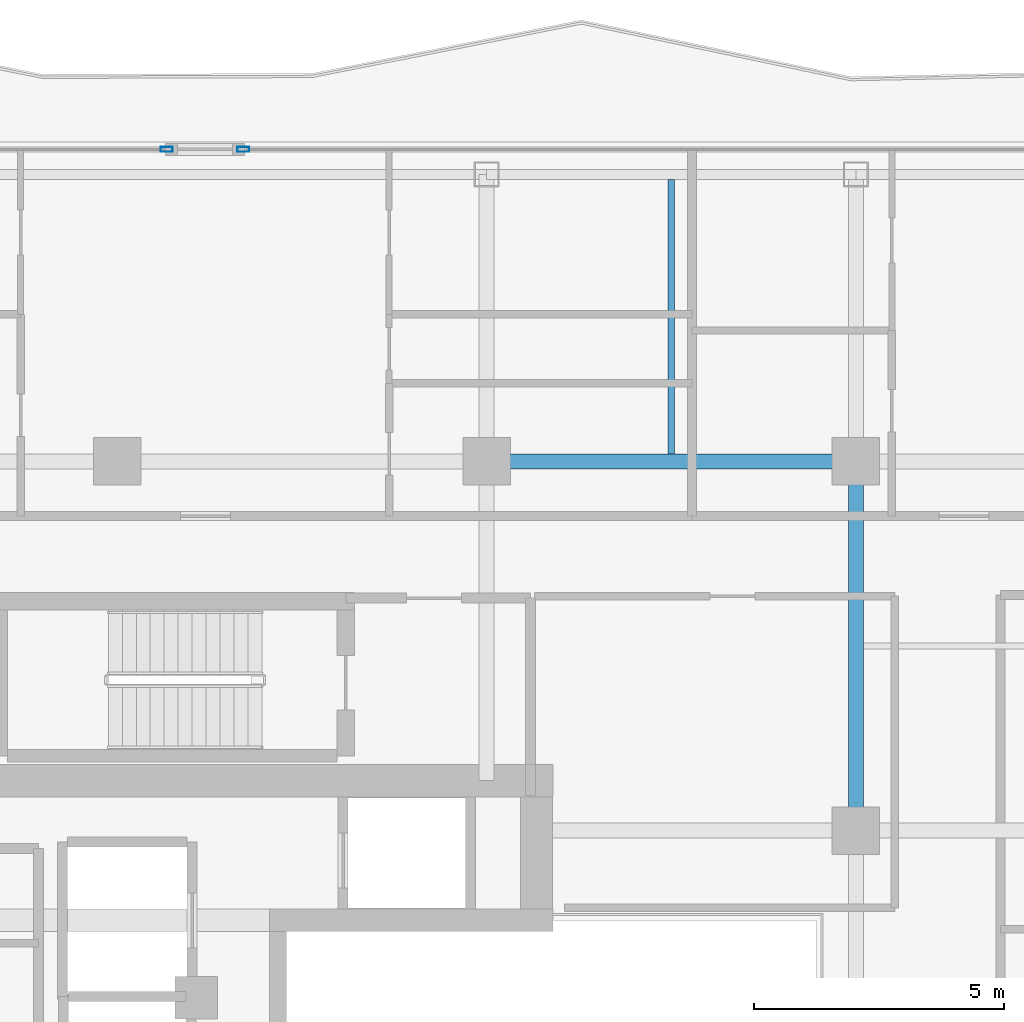
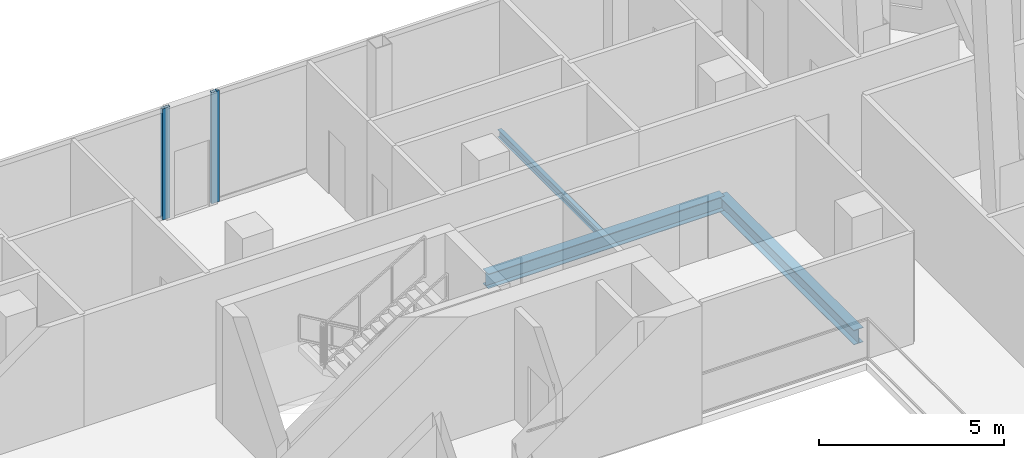
# One storey, part 14 of 27: 3 beams, 2 members, 2 elements without a shape of their own.
"""IFC4 building model written with IfcOpenShell, lengths in metres."""

import ifcopenshell
import ifcopenshell.guid

model = None  # the IFC model being written
_history = None  # IfcOwnerHistory: only IFC2X3 demands one
_inside = {}  # id of a spatial element -> (the spatial element, [elements in it])
_under = {}  # id of a project, library or spatial element -> (it, [spatial elements below it])
_declared = {}  # id of a project -> (the project, [libraries it declares])
_typed = {}  # id of a type object -> (the type object, [elements of that type])
_made_of = {}  # id of a material, layer set ... -> (it, [elements and type objects made of it])


def new_model(schema):
    """Start an empty IFC model of exactly this schema.

    Asked for "IFC4X3", IfcOpenShell would pick the latest addendum, in which some entities
    have other attributes; the version numbers below select the first issue.
    IFC2X3 requires an IfcOwnerHistory on every rooted entity: one is made here for all.
    """
    global model, _history
    if schema == "IFC4X3":
        model = ifcopenshell.file(schema_version=(4, 3, 0, 0))
    else:
        model = ifcopenshell.file(schema=schema)
    _inside.clear()
    _under.clear()
    _declared.clear()
    _typed.clear()
    _made_of.clear()
    _history = None
    if model.schema == "IFC2X3":
        org = make("IfcOrganization", Name="unknown")
        user = make(
            "IfcPersonAndOrganization",
            ThePerson=make("IfcPerson", FamilyName="unknown"),
            TheOrganization=org,
        )
        app = make(
            "IfcApplication",
            ApplicationDeveloper=org,
            Version="unknown",
            ApplicationFullName="unknown",
            ApplicationIdentifier="unknown",
        )
        _history = make(
            "IfcOwnerHistory",
            OwningUser=user,
            OwningApplication=app,
            ChangeAction="ADDED",
            CreationDate=0,
        )
    return model


def make(cls, **values):
    """One entity of the class cls with the attributes given. An attribute that is None is left unset."""
    return model.create_entity(
        cls, **{name: value for name, value in values.items() if value is not None}
    )


def rooted(cls, **values):
    """An entity with a GlobalId (a new one), such as an element, a storey or a relation."""
    return make(cls, GlobalId=ifcopenshell.guid.new(), OwnerHistory=_history, **values)


def si_unit(unit_type, name, prefix=None):
    """IfcSIUnit, for example si_unit("LENGTHUNIT", "METRE", prefix="MILLI")."""
    return make("IfcSIUnit", UnitType=unit_type, Prefix=prefix, Name=name)


def assignment(units):
    """IfcUnitAssignment: the units of a project."""
    return None if units is None else make("IfcUnitAssignment", Units=units)


def point(xyz):
    """IfcCartesianPoint."""
    return None if xyz is None else make("IfcCartesianPoint", Coordinates=xyz)


def direction(xyz):
    """IfcDirection."""
    return None if xyz is None else make("IfcDirection", DirectionRatios=xyz)


def frame(location, z_axis=None, x_axis=None):
    """IfcAxis2Placement3D, a coordinate frame: its origin and axes. An axis left out is left unset."""
    return make(
        "IfcAxis2Placement3D",
        Location=point(location),
        Axis=direction(z_axis),
        RefDirection=direction(x_axis),
    )


def frame_2d(location, x_axis=None):
    """IfcAxis2Placement2D, a coordinate frame in the plane: its origin and x axis."""
    return make(
        "IfcAxis2Placement2D", Location=point(location), RefDirection=direction(x_axis)
    )


def origin():
    """The frame at (0, 0, 0) with its axes left unset."""
    return frame((0.0, 0.0, 0.0))


def origin_2d():
    """The frame at (0, 0) in the plane with its x axis left unset."""
    return frame_2d((0.0, 0.0))


def place(relative_to, where):
    """IfcLocalPlacement: puts the frame where relative to a parent placement (None: the world)."""
    return make(
        "IfcLocalPlacement", PlacementRelTo=relative_to, RelativePlacement=where
    )


def context(
    kind, dimensions, precision=None, world=None, true_north=None, identifier=None
):
    """IfcGeometricRepresentationContext, for example the 3D "Model" context."""
    return make(
        "IfcGeometricRepresentationContext",
        ContextIdentifier=identifier,
        ContextType=kind,
        CoordinateSpaceDimension=dimensions,
        Precision=precision,
        WorldCoordinateSystem=world,
        TrueNorth=true_north,
    )


def subcontext(parent, identifier, kind, view, scale=None):
    """IfcGeometricRepresentationSubContext, for example "Body" below "Model"."""
    return make(
        "IfcGeometricRepresentationSubContext",
        ContextIdentifier=identifier,
        ContextType=kind,
        ParentContext=parent,
        TargetScale=scale,
        TargetView=view,
    )


def project(units=None, contexts=None):
    """IfcProject with its units and contexts."""
    return rooted(
        "IfcProject",
        Name="project",
        RepresentationContexts=contexts,
        UnitsInContext=assignment(units),
    )


def spatial(cls, under=None, at=None, **own):
    """A site, building, storey or space (cls), placed at a placement, below another one or the project."""
    s = rooted(cls, ObjectPlacement=at, **own)
    if under is not None:
        _under.setdefault(under.id(), (under, []))[1].append(s)
    return s


def profile(cls, at=None, kind="AREA", **sizes):
    """A parametric profile (cls). Its sizes go by their IFC names, for example OverallWidth=200.0."""
    return make(cls, ProfileType=kind, Position=at, **sizes)


def hollow_rectangle(**sizes):
    """IfcRectangleHollowProfileDef."""
    return profile("IfcRectangleHollowProfileDef", **sizes)


def i_section(**sizes):
    """IfcIShapeProfileDef."""
    return profile("IfcIShapeProfileDef", **sizes)


def extrude(swept, where, along, depth):
    """IfcExtrudedAreaSolid: the profile swept, set in the frame where, extruded along a direction by depth."""
    return make(
        "IfcExtrudedAreaSolid",
        SweptArea=swept,
        Position=where,
        ExtrudedDirection=direction(along),
        Depth=depth,
    )


def shape(context_of_items, identifier, shape_type, items):
    """IfcShapeRepresentation: the items that make up one representation, for example the "Body"."""
    return make(
        "IfcShapeRepresentation",
        ContextOfItems=context_of_items,
        RepresentationIdentifier=identifier,
        RepresentationType=shape_type,
        Items=items,
    )


def material(Name=None, Category=None):
    """IfcMaterial."""
    return make("IfcMaterial", Name=Name, Category=Category)


def layer(
    of_material, thickness, ventilated=None, Name=None, Category=None, Priority=None
):
    """IfcMaterialLayer: one layer of a wall or slab, of a material (None: an air gap)."""
    return make(
        "IfcMaterialLayer",
        Material=of_material,
        LayerThickness=thickness,
        IsVentilated=ventilated,
        Name=Name,
        Category=Category,
        Priority=Priority,
    )


def layer_set(layers, Name=None):
    """IfcMaterialLayerSet."""
    return make("IfcMaterialLayerSet", MaterialLayers=layers, LayerSetName=Name)


def material_profile(
    of_material, cross_section, Name=None, Category=None, Priority=None
):
    """IfcMaterialProfile: a cross section and its material."""
    return make(
        "IfcMaterialProfile",
        Name=Name,
        Material=of_material,
        Profile=cross_section,
        Priority=Priority,
        Category=Category,
    )


def profile_set(profiles, Name=None, composite=None):
    """IfcMaterialProfileSet."""
    return make(
        "IfcMaterialProfileSet",
        Name=Name,
        MaterialProfiles=profiles,
        CompositeProfile=composite,
    )


def made_of(thing, what):
    """Note that an element or type object is made of a material, layer set ...; save() writes the relation."""
    if what is not None:
        _made_of.setdefault(what.id(), (what, []))[1].append(thing)
    return thing


def type_object(cls, material=None, **own):
    """A type object (cls), such as IfcWallType, which elements share."""
    return made_of(rooted(cls, **own), material)


def element(
    cls,
    number,
    at=None,
    inside=None,
    cuts=None,
    type_object=None,
    material=None,
    context=None,
    identifier="Body",
    shape_type=None,
    held_by="IfcProductDefinitionShape",
    body=None,
    shapes=None,
    **own,
):
    """One element of the class cls, such as IfcWall. Its Tag is "e" and its number.

    at: its placement. inside: the storey or other place that contains it. cuts: it is an
    opening in that element (IfcRelVoidsElement). A single representation is given by context,
    identifier, shape_type and body (its items); several are given by shapes. held_by: the class
    of the entity that holds the representations. save() writes the other relations.
    """
    e = rooted(cls, Tag="e%d" % number, ObjectPlacement=at, **own)
    if body is not None:
        shapes = [shape(context, identifier, shape_type, body)]
    if shapes is not None:
        e.Representation = make(held_by, Representations=shapes)
    if inside is not None:
        _inside.setdefault(inside.id(), (inside, []))[1].append(e)
    if cuts is not None:
        rooted(
            "IfcRelVoidsElement", RelatingBuildingElement=cuts, RelatedOpeningElement=e
        )
    if type_object is not None:
        _typed.setdefault(type_object.id(), (type_object, []))[1].append(e)
    return made_of(e, material)


def aggregate(whole, parts):
    """IfcRelAggregates: a whole, such as a stair, and the parts it consists of."""
    return rooted("IfcRelAggregates", RelatingObject=whole, RelatedObjects=parts)


def save(model, path):
    """Write the relations noted so far, then the file.

    IfcRelAggregates (storeys below a building ...), IfcRelContainedInSpatialStructure (elements
    in a storey), IfcRelDefinesByType, IfcRelAssociatesMaterial and IfcRelDeclares: one each for
    every whole, place, type object, material and project.
    """
    for whole, parts in _under.values():
        aggregate(whole, parts)
    for where, things in _inside.values():
        rooted(
            "IfcRelContainedInSpatialStructure",
            RelatedElements=things,
            RelatingStructure=where,
        )
    for kind, things in _typed.values():
        rooted("IfcRelDefinesByType", RelatedObjects=things, RelatingType=kind)
    for what, things in _made_of.values():
        rooted("IfcRelAssociatesMaterial", RelatedObjects=things, RelatingMaterial=what)
    for by, libraries in _declared.values():
        rooted("IfcRelDeclares", RelatingContext=by, RelatedDefinitions=libraries)
    model.write(path)


model = new_model("IFC4")

# Units and contexts
model_context = context("Model", 3, precision=1e-05, world=origin(), true_north=direction((0.0, 1.0)))
body_context = subcontext(model_context, "Body", "Model", "MODEL_VIEW")
ifc_project = project(units=[si_unit("LENGTHUNIT", "METRE"), si_unit("AREAUNIT", "SQUARE_METRE"), si_unit("VOLUMEUNIT", "CUBIC_METRE"), si_unit("PLANEANGLEUNIT", "RADIAN"), si_unit("MASSUNIT", "GRAM", prefix="KILO")], contexts=[model_context])

# Site, building, storey
site_placement = place(None, origin())
site = spatial("IfcSite", under=ifc_project, at=site_placement, CompositionType="ELEMENT")
building_placement = place(site_placement, origin())
building = spatial("IfcBuilding", under=site, at=building_placement, Name="Khorvyn Point Tower", CompositionType="ELEMENT")
storey_placement = place(building_placement, frame((0.0, 0.0, 270.300048828125)))
storey = spatial("IfcBuildingStorey", under=building, at=storey_placement, Name="L66", CompositionType="ELEMENT", Elevation=270.300048828125)

# Curtain wall, member
ifc_material_1 = material(Name="Anodised aluminium 6063-T6 and laminated Low-E glass", Category="aluminium")
ifc_layer = layer(ifc_material_1, 0.18994140625)
ifc_layer_set = layer_set([ifc_layer], Name="Stick-Built High-Wind Curtain Wall CW-SYS-04")
curtain_wall_type = type_object("IfcCurtainWallType", Name="Stick-Built High-Wind Curtain Wall CW-SYS-04", PredefinedType="NOTDEFINED", material=ifc_layer_set)
curtain_wall_1_placement = place(storey_placement, origin())
curtain_wall_1 = element("IfcCurtainWall", 1, at=curtain_wall_1_placement, inside=storey, type_object=curtain_wall_type, Name="Curtain Wall", PredefinedType="NOTDEFINED")
ifc_material_2 = material(Name="Anodised aluminium 6063-T6", Category="aluminium")
ifc_material_profile_1 = material_profile(ifc_material_2, hollow_rectangle(XDim=0.10009765625, YDim=0.239990234375, WallThickness=0.0048828125, at=origin_2d()))
ifc_profile_set_1 = profile_set([ifc_material_profile_1], Name="Anodised aluminium 6063-T6 ALU-MUL-100x240")
member_type = type_object("IfcMemberType", Name="Anodised Aluminium 6063-T6 Mullion ALU-MUL-100x240", PredefinedType="MULLION", material=ifc_profile_set_1)
member_1_placement = place(storey_placement, frame((0.987060546875, 21.050048828125, 0.0), z_axis=(0.0, 0.0, 1.0), x_axis=(0.0, 1.0, 0.0)))
member_1 = element("IfcMember", 2, at=member_1_placement, type_object=member_type, Name="Transom", PredefinedType="MULLION", context=body_context, shape_type="SweptSolid", body=[
    extrude(hollow_rectangle(XDim=0.10009765625, YDim=0.239990234375, WallThickness=0.0048828125, at=origin_2d()), origin(), (0.0, 0.0, 1.0), 3.679931640625),
])
aggregate(curtain_wall_1, [member_1])

curtain_wall_2_placement = place(storey_placement, origin())
curtain_wall_2 = element("IfcCurtainWall", 3, at=curtain_wall_2_placement, inside=storey, type_object=curtain_wall_type, Name="Curtain Wall", PredefinedType="NOTDEFINED")
member_2_placement = place(storey_placement, frame((2.527099609375, 21.050048828125, 0.0), z_axis=(0.0, 0.0, 1.0), x_axis=(0.0, 1.0, 0.0)))
member_2 = element("IfcMember", 4, at=member_2_placement, type_object=member_type, Name="Transom", PredefinedType="MULLION", context=body_context, shape_type="SweptSolid", body=[
    extrude(hollow_rectangle(XDim=0.10009765625, YDim=0.239990234375, WallThickness=0.0048828125, at=origin_2d()), origin(), (0.0, 0.0, 1.0), 3.679931640625),
])
aggregate(curtain_wall_2, [member_2])

# Beams
ifc_material_3 = material(Name="Steel S355", Category="steel")
ifc_material_profile_2 = material_profile(ifc_material_3, i_section(OverallWidth=0.125, OverallDepth=0.25, WebThickness=0.006103515625, FlangeThickness=0.009033203125, at=origin_2d()))
ifc_profile_set_2 = profile_set([ifc_material_profile_2], Name="Steel S355 H250x125x6x9")
beam_type_1 = type_object("IfcBeamType", Name="Steel S355 Joist H250x125x6x9", PredefinedType="JOIST", material=ifc_profile_set_2)
beam_placement = place(storey_placement, frame((11.10009765625, 14.949951171875, -0.344970703125), z_axis=(0.0, 1.0, 0.0), x_axis=(-1.0, 0.0, 0.0)))
element("IfcBeam", 5, at=beam_placement, inside=storey, type_object=beam_type_1, Name="Beam", PredefinedType="JOIST", context=body_context, shape_type="SweptSolid", body=[
    extrude(i_section(OverallWidth=0.125, OverallDepth=0.25, WebThickness=0.006103515625, FlangeThickness=0.009033203125, at=origin_2d()), origin(), (0.0, 0.0, 1.0), 5.5),
])
ifc_material_profile_3 = material_profile(ifc_material_3, i_section(OverallWidth=0.300048828125, OverallDepth=0.488037109375, WebThickness=0.010986328125, FlangeThickness=0.01806640625, at=origin_2d()))
ifc_profile_set_3 = profile_set([ifc_material_profile_3], Name="Steel S355 H488x300x11x18")
beam_type_2 = type_object("IfcBeamType", Name="Steel S355 Spandrel H488x300x11x18", PredefinedType="SPANDREL", material=ifc_profile_set_3)
for number, where, z_axis, x_axis, name in (
    (6, (7.39990234375, 14.800048828125, -0.464111328125), (1.0, 0.0, 0.0), (0.0, 1.0, 0.0), "Beam"),
    (7, (14.800048828125, 7.39990234375, -0.464111328125), (0.0, 1.0, 0.0), (-1.0, 0.0, 0.0), "Beam"),
):
    element("IfcBeam", number, at=place(storey_placement, frame(where, z_axis=z_axis, x_axis=x_axis)), inside=storey, type_object=beam_type_2, Name=name, PredefinedType="SPANDREL", context=body_context, shape_type="SweptSolid", body=[
        extrude(i_section(OverallWidth=0.300048828125, OverallDepth=0.488037109375, WebThickness=0.010986328125, FlangeThickness=0.01806640625, at=origin_2d()), origin(), (0.0, 0.0, 1.0), 7.400146484375),
    ])

save(model, "model.ifc")
